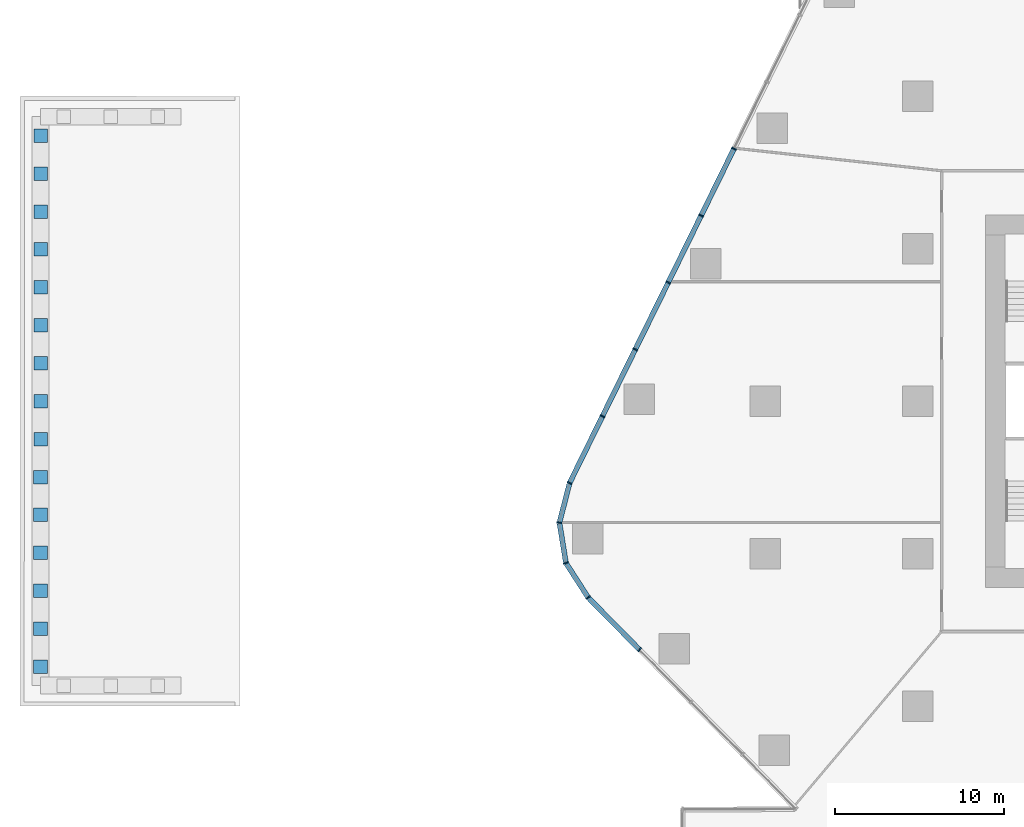
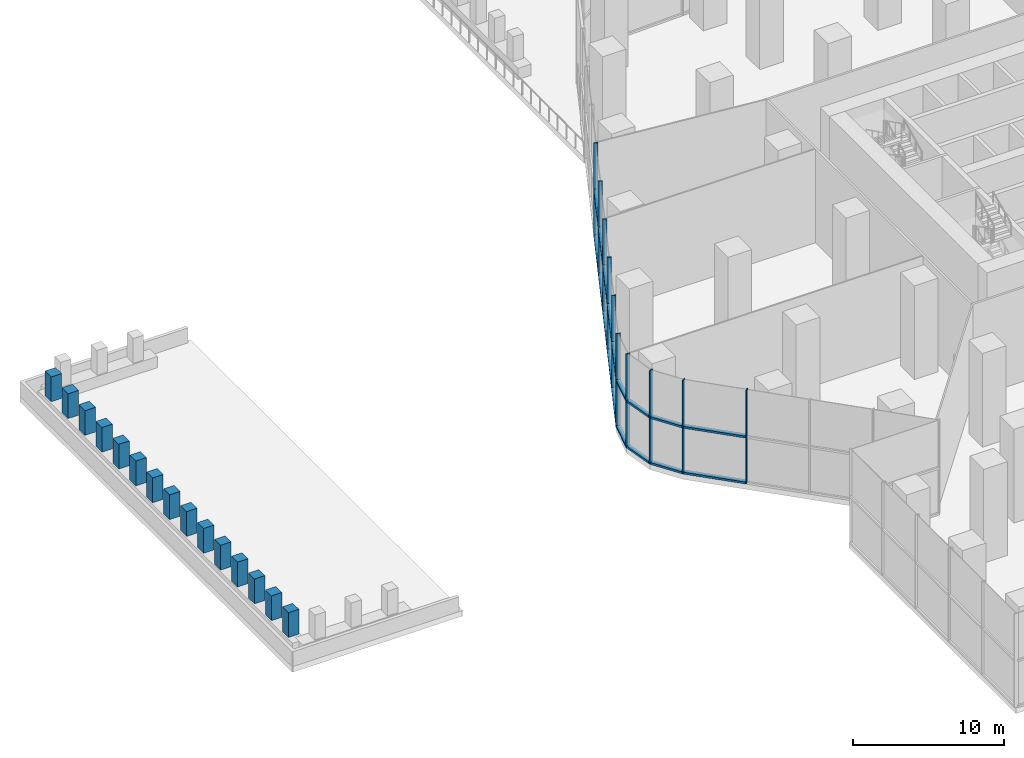
# One storey, part 3 of 22: 43 members, 3 elements without a shape of their own.
"""IFC4 building model written with IfcOpenShell, lengths in metres."""

import ifcopenshell
import ifcopenshell.guid

model = None  # the IFC model being written
_history = None  # IfcOwnerHistory: only IFC2X3 demands one
_inside = {}  # id of a spatial element -> (the spatial element, [elements in it])
_under = {}  # id of a project, library or spatial element -> (it, [spatial elements below it])
_declared = {}  # id of a project -> (the project, [libraries it declares])
_typed = {}  # id of a type object -> (the type object, [elements of that type])
_made_of = {}  # id of a material, layer set ... -> (it, [elements and type objects made of it])


def new_model(schema):
    """Start an empty IFC model of exactly this schema.

    Asked for "IFC4X3", IfcOpenShell would pick the latest addendum, in which some entities
    have other attributes; the version numbers below select the first issue.
    IFC2X3 requires an IfcOwnerHistory on every rooted entity: one is made here for all.
    """
    global model, _history
    if schema == "IFC4X3":
        model = ifcopenshell.file(schema_version=(4, 3, 0, 0))
    else:
        model = ifcopenshell.file(schema=schema)
    _inside.clear()
    _under.clear()
    _declared.clear()
    _typed.clear()
    _made_of.clear()
    _history = None
    if model.schema == "IFC2X3":
        org = make("IfcOrganization", Name="unknown")
        user = make(
            "IfcPersonAndOrganization",
            ThePerson=make("IfcPerson", FamilyName="unknown"),
            TheOrganization=org,
        )
        app = make(
            "IfcApplication",
            ApplicationDeveloper=org,
            Version="unknown",
            ApplicationFullName="unknown",
            ApplicationIdentifier="unknown",
        )
        _history = make(
            "IfcOwnerHistory",
            OwningUser=user,
            OwningApplication=app,
            ChangeAction="ADDED",
            CreationDate=0,
        )
    return model


def make(cls, **values):
    """One entity of the class cls with the attributes given. An attribute that is None is left unset."""
    return model.create_entity(
        cls, **{name: value for name, value in values.items() if value is not None}
    )


def rooted(cls, **values):
    """An entity with a GlobalId (a new one), such as an element, a storey or a relation."""
    return make(cls, GlobalId=ifcopenshell.guid.new(), OwnerHistory=_history, **values)


def si_unit(unit_type, name, prefix=None):
    """IfcSIUnit, for example si_unit("LENGTHUNIT", "METRE", prefix="MILLI")."""
    return make("IfcSIUnit", UnitType=unit_type, Prefix=prefix, Name=name)


def assignment(units):
    """IfcUnitAssignment: the units of a project."""
    return None if units is None else make("IfcUnitAssignment", Units=units)


def point(xyz):
    """IfcCartesianPoint."""
    return None if xyz is None else make("IfcCartesianPoint", Coordinates=xyz)


def direction(xyz):
    """IfcDirection."""
    return None if xyz is None else make("IfcDirection", DirectionRatios=xyz)


def frame(location, z_axis=None, x_axis=None):
    """IfcAxis2Placement3D, a coordinate frame: its origin and axes. An axis left out is left unset."""
    return make(
        "IfcAxis2Placement3D",
        Location=point(location),
        Axis=direction(z_axis),
        RefDirection=direction(x_axis),
    )


def frame_2d(location, x_axis=None):
    """IfcAxis2Placement2D, a coordinate frame in the plane: its origin and x axis."""
    return make(
        "IfcAxis2Placement2D", Location=point(location), RefDirection=direction(x_axis)
    )


def origin():
    """The frame at (0, 0, 0) with its axes left unset."""
    return frame((0.0, 0.0, 0.0))


def origin_2d():
    """The frame at (0, 0) in the plane with its x axis left unset."""
    return frame_2d((0.0, 0.0))


def place(relative_to, where):
    """IfcLocalPlacement: puts the frame where relative to a parent placement (None: the world)."""
    return make(
        "IfcLocalPlacement", PlacementRelTo=relative_to, RelativePlacement=where
    )


def context(
    kind, dimensions, precision=None, world=None, true_north=None, identifier=None
):
    """IfcGeometricRepresentationContext, for example the 3D "Model" context."""
    return make(
        "IfcGeometricRepresentationContext",
        ContextIdentifier=identifier,
        ContextType=kind,
        CoordinateSpaceDimension=dimensions,
        Precision=precision,
        WorldCoordinateSystem=world,
        TrueNorth=true_north,
    )


def subcontext(parent, identifier, kind, view, scale=None):
    """IfcGeometricRepresentationSubContext, for example "Body" below "Model"."""
    return make(
        "IfcGeometricRepresentationSubContext",
        ContextIdentifier=identifier,
        ContextType=kind,
        ParentContext=parent,
        TargetScale=scale,
        TargetView=view,
    )


def project(units=None, contexts=None):
    """IfcProject with its units and contexts."""
    return rooted(
        "IfcProject",
        Name="project",
        RepresentationContexts=contexts,
        UnitsInContext=assignment(units),
    )


def spatial(cls, under=None, at=None, **own):
    """A site, building, storey or space (cls), placed at a placement, below another one or the project."""
    s = rooted(cls, ObjectPlacement=at, **own)
    if under is not None:
        _under.setdefault(under.id(), (under, []))[1].append(s)
    return s


def profile(cls, at=None, kind="AREA", **sizes):
    """A parametric profile (cls). Its sizes go by their IFC names, for example OverallWidth=200.0."""
    return make(cls, ProfileType=kind, Position=at, **sizes)


def rectangle(**sizes):
    """IfcRectangleProfileDef."""
    return profile("IfcRectangleProfileDef", **sizes)


def extrude(swept, where, along, depth):
    """IfcExtrudedAreaSolid: the profile swept, set in the frame where, extruded along a direction by depth."""
    return make(
        "IfcExtrudedAreaSolid",
        SweptArea=swept,
        Position=where,
        ExtrudedDirection=direction(along),
        Depth=depth,
    )


def shape(context_of_items, identifier, shape_type, items):
    """IfcShapeRepresentation: the items that make up one representation, for example the "Body"."""
    return make(
        "IfcShapeRepresentation",
        ContextOfItems=context_of_items,
        RepresentationIdentifier=identifier,
        RepresentationType=shape_type,
        Items=items,
    )


def material(Name=None, Category=None):
    """IfcMaterial."""
    return make("IfcMaterial", Name=Name, Category=Category)


def layer(
    of_material, thickness, ventilated=None, Name=None, Category=None, Priority=None
):
    """IfcMaterialLayer: one layer of a wall or slab, of a material (None: an air gap)."""
    return make(
        "IfcMaterialLayer",
        Material=of_material,
        LayerThickness=thickness,
        IsVentilated=ventilated,
        Name=Name,
        Category=Category,
        Priority=Priority,
    )


def layer_set(layers, Name=None):
    """IfcMaterialLayerSet."""
    return make("IfcMaterialLayerSet", MaterialLayers=layers, LayerSetName=Name)


def material_profile(
    of_material, cross_section, Name=None, Category=None, Priority=None
):
    """IfcMaterialProfile: a cross section and its material."""
    return make(
        "IfcMaterialProfile",
        Name=Name,
        Material=of_material,
        Profile=cross_section,
        Priority=Priority,
        Category=Category,
    )


def profile_set(profiles, Name=None, composite=None):
    """IfcMaterialProfileSet."""
    return make(
        "IfcMaterialProfileSet",
        Name=Name,
        MaterialProfiles=profiles,
        CompositeProfile=composite,
    )


def made_of(thing, what):
    """Note that an element or type object is made of a material, layer set ...; save() writes the relation."""
    if what is not None:
        _made_of.setdefault(what.id(), (what, []))[1].append(thing)
    return thing


def type_object(cls, material=None, **own):
    """A type object (cls), such as IfcWallType, which elements share."""
    return made_of(rooted(cls, **own), material)


def element(
    cls,
    number,
    at=None,
    inside=None,
    cuts=None,
    type_object=None,
    material=None,
    context=None,
    identifier="Body",
    shape_type=None,
    held_by="IfcProductDefinitionShape",
    body=None,
    shapes=None,
    **own,
):
    """One element of the class cls, such as IfcWall. Its Tag is "e" and its number.

    at: its placement. inside: the storey or other place that contains it. cuts: it is an
    opening in that element (IfcRelVoidsElement). A single representation is given by context,
    identifier, shape_type and body (its items); several are given by shapes. held_by: the class
    of the entity that holds the representations. save() writes the other relations.
    """
    e = rooted(cls, Tag="e%d" % number, ObjectPlacement=at, **own)
    if body is not None:
        shapes = [shape(context, identifier, shape_type, body)]
    if shapes is not None:
        e.Representation = make(held_by, Representations=shapes)
    if inside is not None:
        _inside.setdefault(inside.id(), (inside, []))[1].append(e)
    if cuts is not None:
        rooted(
            "IfcRelVoidsElement", RelatingBuildingElement=cuts, RelatedOpeningElement=e
        )
    if type_object is not None:
        _typed.setdefault(type_object.id(), (type_object, []))[1].append(e)
    return made_of(e, material)


def aggregate(whole, parts):
    """IfcRelAggregates: a whole, such as a stair, and the parts it consists of."""
    return rooted("IfcRelAggregates", RelatingObject=whole, RelatedObjects=parts)


def save(model, path):
    """Write the relations noted so far, then the file.

    IfcRelAggregates (storeys below a building ...), IfcRelContainedInSpatialStructure (elements
    in a storey), IfcRelDefinesByType, IfcRelAssociatesMaterial and IfcRelDeclares: one each for
    every whole, place, type object, material and project.
    """
    for whole, parts in _under.values():
        aggregate(whole, parts)
    for where, things in _inside.values():
        rooted(
            "IfcRelContainedInSpatialStructure",
            RelatedElements=things,
            RelatingStructure=where,
        )
    for kind, things in _typed.values():
        rooted("IfcRelDefinesByType", RelatedObjects=things, RelatingType=kind)
    for what, things in _made_of.values():
        rooted("IfcRelAssociatesMaterial", RelatedObjects=things, RelatingMaterial=what)
    for by, libraries in _declared.values():
        rooted("IfcRelDeclares", RelatingContext=by, RelatedDefinitions=libraries)
    model.write(path)


model = new_model("IFC4")

# Units and contexts
model_context = context("Model", 3, precision=1e-05, world=origin(), true_north=direction((0.0, 1.0)))
body_context = subcontext(model_context, "Body", "Model", "MODEL_VIEW")
ifc_project = project(units=[si_unit("LENGTHUNIT", "METRE"), si_unit("AREAUNIT", "SQUARE_METRE"), si_unit("VOLUMEUNIT", "CUBIC_METRE"), si_unit("PLANEANGLEUNIT", "RADIAN"), si_unit("MASSUNIT", "GRAM", prefix="KILO")], contexts=[model_context])

# Site, building, storey
site_placement = place(None, origin())
site = spatial("IfcSite", under=ifc_project, at=site_placement, CompositionType="ELEMENT")
building_placement = place(site_placement, origin())
building = spatial("IfcBuilding", under=site, at=building_placement, Name="Dongbaek Canopy Tower", CompositionType="ELEMENT")
storey_placement = place(building_placement, frame((0.0, 0.0, 19.0)))
storey = spatial("IfcBuildingStorey", under=building, at=storey_placement, Name="L02", CompositionType="ELEMENT", Elevation=19.0)

# Curtain wall, members
ifc_material_1 = material(Name="Aluminium 6063-T6 pale anodised", Category="aluminium")
ifc_layer = layer(ifc_material_1, 0.300048828125)
ifc_layer_set = layer_set([ifc_layer], Name="CW-2 podium hall curtain wall")
curtain_wall_type = type_object("IfcCurtainWallType", Name="CW-2 podium hall curtain wall", PredefinedType="NOTDEFINED", material=ifc_layer_set)
curtain_wall_1_placement = place(storey_placement, origin())
curtain_wall_1 = element("IfcCurtainWall", 1, at=curtain_wall_1_placement, inside=storey, type_object=curtain_wall_type, Name="CW-2 curtain wall F3.1", PredefinedType="NOTDEFINED")
ifc_material_2 = material(Name="Aluminium 6063-T6 pale anodised", Category="aluminium")
ifc_material_profile_1 = material_profile(ifc_material_2, rectangle(XDim=0.300048828125, YDim=0.080078125, at=origin_2d()), Name="CW-2 mullion 80 x 300")
ifc_profile_set_1 = profile_set([ifc_material_profile_1], Name="Aluminium 6063-T6 pale anodised")
member_type_1 = type_object("IfcMemberType", Name="CW-2 mullion 80 x 300", PredefinedType="MULLION", material=ifc_profile_set_1)
member_1_placement = place(storey_placement, frame((-28.856201171875, 14.902099609375, 0.0), z_axis=(0.0, 0.0, 1.0), x_axis=(-0.897339166815, 0.441341613378, 0.0)))
member_1 = element("IfcMember", 2, at=member_1_placement, type_object=member_type_1, Name="CW-2 mullion F3.1.4", PredefinedType="MULLION", context=body_context, shape_type="SweptSolid", body=[
    extrude(rectangle(XDim=0.300048828125, YDim=0.080078125, at=origin_2d()), origin(), (0.0, 0.0, 1.0), 7.550048828125),
])
member_2_placement = place(storey_placement, frame((-30.7978515625, 10.954345703125, 0.0), z_axis=(0.0, 0.0, 1.0), x_axis=(-0.897339166815, 0.441341613378, 0.0)))
member_2 = element("IfcMember", 3, at=member_2_placement, type_object=member_type_1, Name="CW-2 mullion F3.1.5", PredefinedType="MULLION", context=body_context, shape_type="SweptSolid", body=[
    extrude(rectangle(XDim=0.300048828125, YDim=0.080078125, at=origin_2d()), origin(), (0.0, 0.0, 1.0), 7.550048828125),
])
member_3_placement = place(storey_placement, frame((-32.739501953125, 7.00634765625, 0.0), z_axis=(0.0, 0.0, 1.0), x_axis=(-0.897339166815, 0.441341613378, 0.0)))
member_3 = element("IfcMember", 4, at=member_3_placement, type_object=member_type_1, Name="CW-2 mullion F3.1.6", PredefinedType="MULLION", context=body_context, shape_type="SweptSolid", body=[
    extrude(rectangle(XDim=0.300048828125, YDim=0.080078125, at=origin_2d()), origin(), (0.0, 0.0, 1.0), 7.550048828125),
])
member_4_placement = place(storey_placement, frame((-34.68115234375, 3.05859375, 0.0), z_axis=(0.0, 0.0, 1.0), x_axis=(-0.897339166815, 0.441341613378, 0.0)))
member_4 = element("IfcMember", 5, at=member_4_placement, type_object=member_type_1, Name="CW-2 mullion F3.1.7", PredefinedType="MULLION", context=body_context, shape_type="SweptSolid", body=[
    extrude(rectangle(XDim=0.300048828125, YDim=0.080078125, at=origin_2d()), origin(), (0.0, 0.0, 1.0), 7.550048828125),
])
member_5_placement = place(storey_placement, frame((-36.622802734375, -0.88916015625, 0.0), z_axis=(0.0, 0.0, 1.0), x_axis=(-0.897339166815, 0.441341613378, 0.0)))
member_5 = element("IfcMember", 6, at=member_5_placement, type_object=member_type_1, Name="CW-2 mullion F3.1.8", PredefinedType="MULLION", context=body_context, shape_type="SweptSolid", body=[
    extrude(rectangle(XDim=0.300048828125, YDim=0.080078125, at=origin_2d()), origin(), (0.0, 0.0, 1.0), 7.550048828125),
])
member_6_placement = place(storey_placement, frame((-38.559814453125, -4.82763671875, 0.0), z_axis=(0.0, 0.0, 1.0), x_axis=(-0.897339166815, 0.441341613378, 0.0)))
member_6 = element("IfcMember", 7, at=member_6_placement, type_object=member_type_1, Name="CW-2 mullion F3.1.9", PredefinedType="MULLION", context=body_context, shape_type="SweptSolid", body=[
    extrude(rectangle(XDim=0.300048828125, YDim=0.080078125, at=origin_2d()), origin(), (0.0, 0.0, 1.0), 7.550048828125),
])

curtain_wall_2_placement = place(storey_placement, origin())
curtain_wall_2 = element("IfcCurtainWall", 8, at=curtain_wall_2_placement, inside=storey, type_object=curtain_wall_type, Name="CW-2 curtain wall K4.1", PredefinedType="NOTDEFINED")
member_7_placement = place(storey_placement, frame((-39.161865234375, -7.1728515625, 0.0), z_axis=(0.0, 0.0, 1.0), x_axis=(-0.998966870966, 0.045444369436, 0.0)))
member_7 = element("IfcMember", 9, at=member_7_placement, type_object=member_type_1, Name="CW-2 mullion K4.1.2", PredefinedType="MULLION", context=body_context, shape_type="SweptSolid", body=[
    extrude(rectangle(XDim=0.300048828125, YDim=0.080078125, at=origin_2d()), origin(), (0.0, 0.0, 1.0), 7.550048828125),
])
member_8_placement = place(storey_placement, frame((-38.77685546875, -9.552490234375, 0.0), z_axis=(0.0, 0.0, 1.0), x_axis=(-0.933704344441, -0.358044965295, 0.0)))
member_8 = element("IfcMember", 10, at=member_8_placement, type_object=member_type_1, Name="CW-2 mullion K4.1.3", PredefinedType="MULLION", context=body_context, shape_type="SweptSolid", body=[
    extrude(rectangle(XDim=0.300048828125, YDim=0.080078125, at=origin_2d()), origin(), (0.0, 0.0, 1.0), 7.550048828125),
])
member_9_placement = place(storey_placement, frame((-37.46630859375, -11.58837890625, 0.0), z_axis=(0.0, 0.0, 1.0), x_axis=(-0.840825723493, -0.541305923405, 0.0)))
member_9 = element("IfcMember", 11, at=member_9_placement, type_object=member_type_1, Name="CW-2 mullion K4.1.4", PredefinedType="MULLION", context=body_context, shape_type="SweptSolid", body=[
    extrude(rectangle(XDim=0.300048828125, YDim=0.080078125, at=origin_2d()), origin(), (0.0, 0.0, 1.0), 7.550048828125),
])

# Curtain wall, member
curtain_wall_3_placement = place(storey_placement, origin())
curtain_wall_3 = element("IfcCurtainWall", 12, at=curtain_wall_3_placement, inside=storey, type_object=curtain_wall_type, Name="CW-2 curtain wall F4.1", PredefinedType="NOTDEFINED")
member_10_placement = place(storey_placement, frame((-34.432861328125, -14.668212890625, 0.0), z_axis=(0.0, 0.0, 1.0), x_axis=(-0.71245453488, -0.70171827376, 0.0)))
member_10 = element("IfcMember", 13, at=member_10_placement, type_object=member_type_1, Name="CW-2 mullion F4.1.2", PredefinedType="MULLION", context=body_context, shape_type="SweptSolid", body=[
    extrude(rectangle(XDim=0.300048828125, YDim=0.080078125, at=origin_2d()), origin(), (0.0, 0.0, 1.0), 7.550048828125),
])

# Member
ifc_material_3 = material(Name="Aluminium 6063-T6 pale anodised", Category="aluminium")
ifc_material_profile_2 = material_profile(ifc_material_3, rectangle(XDim=0.300048828125, YDim=0.159912109375, at=origin_2d()), Name="CW-2 transom 160 x 300")
ifc_profile_set_2 = profile_set([ifc_material_profile_2], Name="Aluminium 6063-T6 pale anodised")
member_type_2 = type_object("IfcMemberType", Name="CW-2 transom 160 x 300", PredefinedType="USERDEFINED", material=ifc_profile_set_2)
member_11_placement = place(storey_placement, frame((-28.879150390625, 14.85546875, 0.080078125), z_axis=(-0.441338412406, -0.897340741154, 0.0), x_axis=(0.897340741154, -0.441338412406, 0.0)))
member_11 = element("IfcMember", 14, at=member_11_placement, type_object=member_type_2, Name="CW-2 transom F3.1.4.1", ObjectType="TRANSOM", PredefinedType="USERDEFINED", context=body_context, shape_type="SweptSolid", body=[
    extrude(rectangle(XDim=0.300048828125, YDim=0.159912109375, at=origin_2d()), origin(), (0.0, 0.0, 1.0), 4.29541015625),
])

member_12_placement = place(storey_placement, frame((-28.879150390625, 14.85546875, 3.77490234375), z_axis=(-0.441338412406, -0.897340741154, 0.0), x_axis=(0.897340741154, -0.441338412406, 0.0)))
member_12 = element("IfcMember", 15, at=member_12_placement, type_object=member_type_2, Name="CW-2 transom F3.1.4.2", ObjectType="TRANSOM", PredefinedType="USERDEFINED", context=body_context, shape_type="SweptSolid", body=[
    extrude(rectangle(XDim=0.300048828125, YDim=0.159912109375, at=origin_2d()), origin(), (0.0, 0.0, 1.0), 4.29541015625),
])

member_13_placement = place(storey_placement, frame((-30.82080078125, 10.90771484375, 0.080078125), z_axis=(-0.441338412406, -0.897340741154, 0.0), x_axis=(0.897340741154, -0.441338412406, 0.0)))
member_13 = element("IfcMember", 16, at=member_13_placement, type_object=member_type_2, Name="CW-2 transom F3.1.5.1", ObjectType="TRANSOM", PredefinedType="USERDEFINED", context=body_context, shape_type="SweptSolid", body=[
    extrude(rectangle(XDim=0.300048828125, YDim=0.159912109375, at=origin_2d()), origin(), (0.0, 0.0, 1.0), 4.29541015625),
])

member_14_placement = place(storey_placement, frame((-30.82080078125, 10.90771484375, 3.77490234375), z_axis=(-0.441338412406, -0.897340741154, 0.0), x_axis=(0.897340741154, -0.441338412406, 0.0)))
member_14 = element("IfcMember", 17, at=member_14_placement, type_object=member_type_2, Name="CW-2 transom F3.1.5.2", ObjectType="TRANSOM", PredefinedType="USERDEFINED", context=body_context, shape_type="SweptSolid", body=[
    extrude(rectangle(XDim=0.300048828125, YDim=0.159912109375, at=origin_2d()), origin(), (0.0, 0.0, 1.0), 4.29541015625),
])

member_15_placement = place(storey_placement, frame((-32.762451171875, 6.959716796875, 0.080078125), z_axis=(-0.441338412406, -0.897340741154, 0.0), x_axis=(0.897340741154, -0.441338412406, 0.0)))
member_15 = element("IfcMember", 18, at=member_15_placement, type_object=member_type_2, Name="CW-2 transom F3.1.6.1", ObjectType="TRANSOM", PredefinedType="USERDEFINED", context=body_context, shape_type="SweptSolid", body=[
    extrude(rectangle(XDim=0.300048828125, YDim=0.159912109375, at=origin_2d()), origin(), (0.0, 0.0, 1.0), 4.29541015625),
])

member_16_placement = place(storey_placement, frame((-32.762451171875, 6.959716796875, 3.77490234375), z_axis=(-0.441338412406, -0.897340741154, 0.0), x_axis=(0.897340741154, -0.441338412406, 0.0)))
member_16 = element("IfcMember", 19, at=member_16_placement, type_object=member_type_2, Name="CW-2 transom F3.1.6.2", ObjectType="TRANSOM", PredefinedType="USERDEFINED", context=body_context, shape_type="SweptSolid", body=[
    extrude(rectangle(XDim=0.300048828125, YDim=0.159912109375, at=origin_2d()), origin(), (0.0, 0.0, 1.0), 4.29541015625),
])

member_17_placement = place(storey_placement, frame((-34.7041015625, 3.011962890625, 0.080078125), z_axis=(-0.441338412406, -0.897340741154, 0.0), x_axis=(0.897340741154, -0.441338412406, 0.0)))
member_17 = element("IfcMember", 20, at=member_17_placement, type_object=member_type_2, Name="CW-2 transom F3.1.7.1", ObjectType="TRANSOM", PredefinedType="USERDEFINED", context=body_context, shape_type="SweptSolid", body=[
    extrude(rectangle(XDim=0.300048828125, YDim=0.159912109375, at=origin_2d()), origin(), (0.0, 0.0, 1.0), 4.29541015625),
])

member_18_placement = place(storey_placement, frame((-34.7041015625, 3.011962890625, 3.77490234375), z_axis=(-0.441338412406, -0.897340741154, 0.0), x_axis=(0.897340741154, -0.441338412406, 0.0)))
member_18 = element("IfcMember", 21, at=member_18_placement, type_object=member_type_2, Name="CW-2 transom F3.1.7.2", ObjectType="TRANSOM", PredefinedType="USERDEFINED", context=body_context, shape_type="SweptSolid", body=[
    extrude(rectangle(XDim=0.300048828125, YDim=0.159912109375, at=origin_2d()), origin(), (0.0, 0.0, 1.0), 4.29541015625),
])

member_19_placement = place(storey_placement, frame((-36.645751953125, -0.935791015625, 0.080078125), z_axis=(-0.441324168048, -0.897347746805, 0.0), x_axis=(0.897347746805, -0.441324168048, 0.0)))
member_19 = element("IfcMember", 22, at=member_19_placement, type_object=member_type_2, Name="CW-2 transom F3.1.8.1", ObjectType="TRANSOM", PredefinedType="USERDEFINED", context=body_context, shape_type="SweptSolid", body=[
    extrude(rectangle(XDim=0.300048828125, YDim=0.159912109375, at=origin_2d()), origin(), (0.0, 0.0, 1.0), 4.28515625),
])

member_20_placement = place(storey_placement, frame((-36.645751953125, -0.935791015625, 3.77490234375), z_axis=(-0.441324168048, -0.897347746805, 0.0), x_axis=(0.897347746805, -0.441324168048, 0.0)))
member_20 = element("IfcMember", 23, at=member_20_placement, type_object=member_type_2, Name="CW-2 transom F3.1.8.2", ObjectType="TRANSOM", PredefinedType="USERDEFINED", context=body_context, shape_type="SweptSolid", body=[
    extrude(rectangle(XDim=0.300048828125, YDim=0.159912109375, at=origin_2d()), origin(), (0.0, 0.0, 1.0), 4.28515625),
])

aggregate(curtain_wall_1, [member_1, member_2, member_3, member_4, member_5, member_6, member_11, member_12, member_13, member_14, member_15, member_16, member_17, member_18, member_19, member_20])

member_21_placement = place(storey_placement, frame((-38.57275390625, -4.878173828125, 0.080078125), z_axis=(-0.248654181882, -0.968592327985, 0.0), x_axis=(0.968592327985, -0.248654181882, 0.0)))
member_21 = element("IfcMember", 24, at=member_21_placement, type_object=member_type_2, Name="CW-2 transom K4.1.1.1", ObjectType="TRANSOM", PredefinedType="USERDEFINED", context=body_context, shape_type="SweptSolid", body=[
    extrude(rectangle(XDim=0.300048828125, YDim=0.159912109375, at=origin_2d()), origin(), (0.0, 0.0, 1.0), 2.317138671875),
])

member_22_placement = place(storey_placement, frame((-38.57275390625, -4.878173828125, 3.77490234375), z_axis=(-0.248654181882, -0.968592327985, 0.0), x_axis=(0.968592327985, -0.248654181882, 0.0)))
member_22 = element("IfcMember", 25, at=member_22_placement, type_object=member_type_2, Name="CW-2 transom K4.1.1.2", ObjectType="TRANSOM", PredefinedType="USERDEFINED", context=body_context, shape_type="SweptSolid", body=[
    extrude(rectangle(XDim=0.300048828125, YDim=0.159912109375, at=origin_2d()), origin(), (0.0, 0.0, 1.0), 2.317138671875),
])

member_23_placement = place(storey_placement, frame((-39.153564453125, -7.22412109375, 0.080078125), z_axis=(0.15971159543, -0.987163718076, 0.0), x_axis=(0.987163718076, 0.15971159543, 0.0)))
member_23 = element("IfcMember", 26, at=member_23_placement, type_object=member_type_2, Name="CW-2 transom K4.1.2.1", ObjectType="TRANSOM", PredefinedType="USERDEFINED", context=body_context, shape_type="SweptSolid", body=[
    extrude(rectangle(XDim=0.300048828125, YDim=0.159912109375, at=origin_2d()), origin(), (0.0, 0.0, 1.0), 2.306640625),
])

member_24_placement = place(storey_placement, frame((-39.153564453125, -7.22412109375, 3.77490234375), z_axis=(0.15971159543, -0.987163718076, 0.0), x_axis=(0.987163718076, 0.15971159543, 0.0)))
member_24 = element("IfcMember", 27, at=member_24_placement, type_object=member_type_2, Name="CW-2 transom K4.1.2.2", ObjectType="TRANSOM", PredefinedType="USERDEFINED", context=body_context, shape_type="SweptSolid", body=[
    extrude(rectangle(XDim=0.300048828125, YDim=0.159912109375, at=origin_2d()), origin(), (0.0, 0.0, 1.0), 2.306640625),
])

member_25_placement = place(storey_placement, frame((-38.748779296875, -9.59619140625, 0.080078125), z_axis=(0.54130592275, -0.840825723914, 0.0), x_axis=(0.840825723914, 0.54130592275, 0.0)))
member_25 = element("IfcMember", 28, at=member_25_placement, type_object=member_type_2, Name="CW-2 transom K4.1.3.1", ObjectType="TRANSOM", PredefinedType="USERDEFINED", context=body_context, shape_type="SweptSolid", body=[
    extrude(rectangle(XDim=0.300048828125, YDim=0.159912109375, at=origin_2d()), origin(), (0.0, 0.0, 1.0), 2.3173828125),
])

member_26_placement = place(storey_placement, frame((-38.748779296875, -9.59619140625, 3.77490234375), z_axis=(0.54130592275, -0.840825723914, 0.0), x_axis=(0.840825723914, 0.54130592275, 0.0)))
member_26 = element("IfcMember", 29, at=member_26_placement, type_object=member_type_2, Name="CW-2 transom K4.1.3.2", ObjectType="TRANSOM", PredefinedType="USERDEFINED", context=body_context, shape_type="SweptSolid", body=[
    extrude(rectangle(XDim=0.300048828125, YDim=0.159912109375, at=origin_2d()), origin(), (0.0, 0.0, 1.0), 2.3173828125),
])

aggregate(curtain_wall_2, [member_7, member_8, member_9, member_21, member_22, member_23, member_24, member_25, member_26])

member_27_placement = place(storey_placement, frame((-37.429931640625, -11.62548828125, 0.080078125), z_axis=(0.70173352954, -0.712439508673, 0.0), x_axis=(0.712439508673, 0.70173352954, 0.0)))
member_27 = element("IfcMember", 30, at=member_27_placement, type_object=member_type_2, Name="CW-2 transom F4.1.1.1", ObjectType="TRANSOM", PredefinedType="USERDEFINED", context=body_context, shape_type="SweptSolid", body=[
    extrude(rectangle(XDim=0.300048828125, YDim=0.159912109375, at=origin_2d()), origin(), (0.0, 0.0, 1.0), 4.21875),
])

member_28_placement = place(storey_placement, frame((-37.429931640625, -11.62548828125, 3.77490234375), z_axis=(0.70173352954, -0.712439508673, 0.0), x_axis=(0.712439508673, 0.70173352954, 0.0)))
member_28 = element("IfcMember", 31, at=member_28_placement, type_object=member_type_2, Name="CW-2 transom F4.1.1.2", ObjectType="TRANSOM", PredefinedType="USERDEFINED", context=body_context, shape_type="SweptSolid", body=[
    extrude(rectangle(XDim=0.300048828125, YDim=0.159912109375, at=origin_2d()), origin(), (0.0, 0.0, 1.0), 4.21875),
])

aggregate(curtain_wall_3, [member_10, member_27, member_28])

# Members
ifc_material_4 = material(Name="Concrete C40/50 planter mass with planting", Category="concrete")
ifc_material_profile_3 = material_profile(ifc_material_4, rectangle(XDim=0.800048828125, YDim=0.800048828125, at=origin_2d()), Name="Shrub planting 800 x 800 x 2000")
ifc_profile_set_3 = profile_set([ifc_material_profile_3], Name="Concrete C40/50 planter mass with planting")
member_type_3 = type_object("IfcMemberType", Name="Shrub planting 800 x 800 x 2000", PredefinedType="USERDEFINED", material=ifc_profile_set_3)
for number, where, z_axis, x_axis, name in (
    (32, (-69.789794921875, -15.670654296875, 0.89990234375), (0.0, 0.0, 1.0), (1.0, 0.0, 0.0), "Podium shrub planting 90"),
    (33, (-69.78955078125, -13.43212890625, 0.89990234375), (0.0, 0.0, 1.0), (1.0, 0.0, 0.0), "Podium shrub planting 91"),
    (34, (-69.789306640625, -11.193359375, 0.89990234375), (0.0, 0.0, 1.0), (1.0, 0.0, 0.0), "Podium shrub planting 92"),
    (35, (-69.7890625, -8.954833984375, 0.89990234375), (0.0, 0.0, 1.0), (1.0, 0.0, 0.0), "Podium shrub planting 93"),
    (36, (-69.788818359375, -6.716064453125, 0.89990234375), (0.0, 0.0, 1.0), (1.0, 0.0, 0.0), "Podium shrub planting 94"),
    (37, (-69.78857421875, -4.4775390625, 0.89990234375), (0.0, 0.0, 1.0), (1.0, 0.0, 0.0), "Podium shrub planting 95"),
    (38, (-69.788330078125, -2.23876953125, 0.89990234375), (0.0, 0.0, 1.0), (1.0, 0.0, 0.0), "Podium shrub planting 96"),
    (39, (-69.7880859375, -0.000244140625, 0.89990234375), (0.0, 0.0, 1.0), (1.0, 0.0, 0.0), "Podium shrub planting 97"),
    (40, (-69.787841796875, 2.238525390625, 0.89990234375), (0.0, 0.0, 1.0), (1.0, 0.0, 0.0), "Podium shrub planting 98"),
    (41, (-69.78759765625, 4.47705078125, 0.89990234375), (0.0, 0.0, 1.0), (1.0, 0.0, 0.0), "Podium shrub planting 99"),
    (42, (-69.787353515625, 6.7158203125, 0.89990234375), (0.0, 0.0, 1.0), (1.0, 0.0, 0.0), "Podium shrub planting 100"),
    (43, (-69.787109375, 8.954345703125, 0.89990234375), (0.0, 0.0, 1.0), (1.0, 0.0, 0.0), "Podium shrub planting 101"),
    (44, (-69.786865234375, 11.193115234375, 0.89990234375), (0.0, 0.0, 1.0), (1.0, 0.0, 0.0), "Podium shrub planting 102"),
    (45, (-69.78662109375, 13.431640625, 0.89990234375), (0.0, 0.0, 1.0), (1.0, 0.0, 0.0), "Podium shrub planting 103"),
    (46, (-69.786376953125, 15.67041015625, 0.89990234375), (0.0, 0.0, 1.0), (1.0, 0.0, 0.0), "Podium shrub planting 104"),
):
    element("IfcMember", number, at=place(storey_placement, frame(where, z_axis=z_axis, x_axis=x_axis)), inside=storey, type_object=member_type_3, Name=name, ObjectType="PLANTING", PredefinedType="USERDEFINED", context=body_context, shape_type="SweptSolid", body=[
        extrude(rectangle(XDim=0.800048828125, YDim=0.800048828125, at=origin_2d()), origin(), (0.0, 0.0, 1.0), 2.0),
    ])

save(model, "model.ifc")
